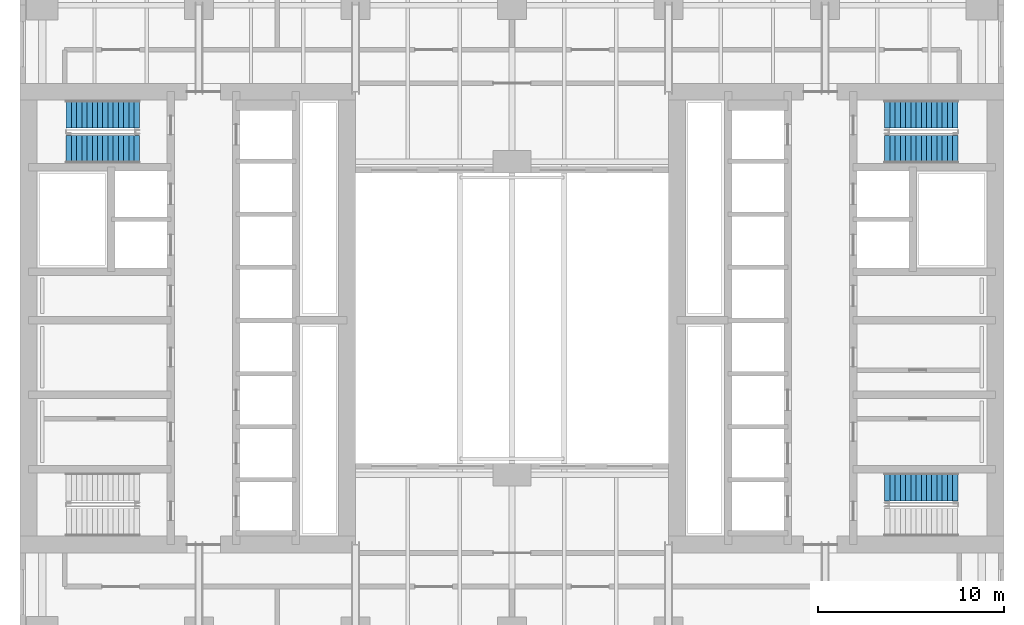
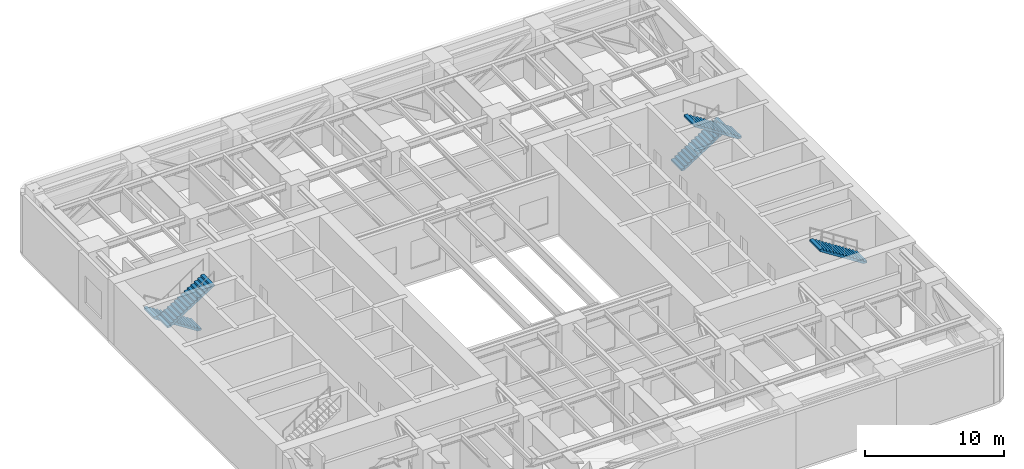
# One storey, part 7 of 11: 5 stair flights, 3 elements without a shape of their own.
"""IFC4 building model written with IfcOpenShell, lengths in metres."""

from ifc_helpers import new_model, si_unit, direction, frame, origin, place, context, subcontext, project, spatial, polyline, outline, extrude, material, type_object, element, aggregate, save


model = new_model("IFC4")

# Units and contexts
model_context = context("Model", 3, precision=1e-05, world=origin(), true_north=direction((0.0, 1.0)))
body_context = subcontext(model_context, "Body", "Model", "MODEL_VIEW")
ifc_project = project(units=[si_unit("LENGTHUNIT", "METRE"), si_unit("AREAUNIT", "SQUARE_METRE"), si_unit("VOLUMEUNIT", "CUBIC_METRE"), si_unit("PLANEANGLEUNIT", "RADIAN"), si_unit("MASSUNIT", "GRAM", prefix="KILO")], contexts=[model_context])

# Site, building, storey
site_placement = place(None, origin())
site = spatial("IfcSite", under=ifc_project, at=site_placement, CompositionType="ELEMENT")
building_placement = place(site_placement, origin())
building = spatial("IfcBuilding", under=site, at=building_placement, Name="Claustro Exchange Tower", CompositionType="ELEMENT")
storey_placement = place(building_placement, frame((0.0, 0.0, 90.89990234375)))
storey = spatial("IfcBuildingStorey", under=building, at=storey_placement, Name="L20", CompositionType="ELEMENT", Elevation=90.89990234375)

# Stair, stair flights
ifc_material_1 = material(Name="Concrete HA-30 (C30/37), precast", Category="concrete")
stair_type = type_object("IfcStairType", Name="ST3 half-turn stair, 30 risers of 180", PredefinedType="HALF_TURN_STAIR", material=ifc_material_1)
stair_1_placement = place(storey_placement, origin())
stair_1 = element("IfcStair", 1, at=stair_1_placement, inside=storey, type_object=stair_type, Name="Stair STWB L20", PredefinedType="HALF_TURN_STAIR")
ifc_material_2 = material(Name="Concrete HA-30 (C30/37), precast", Category="concrete")
stair_flight_type = type_object("IfcStairFlightType", Name="SF15 straight flight, 15 risers of 180, 1500 wide", PredefinedType="STRAIGHT", material=ifc_material_2)
stair_flight_1_placement = place(storey_placement, frame((5.199951171875, 36.14990234375, 0.0), z_axis=(0.0, 0.0, 1.0), x_axis=(-1.0, 0.0, 0.0)))
stair_flight_1 = element("IfcStairFlight", 2, at=stair_flight_1_placement, type_object=stair_flight_type, Name="STWB flight 1", NumberOfRisers=15, NumberOfTreads=14, PredefinedType="STRAIGHT", RiserHeight=0.18, TreadLength=0.28, context=body_context, shape_type="SweptSolid", body=[
    extrude(outline(polyline([(0.0, 0.0), (0.0, 0.179931640625), (0.280029296875, 0.179931640625), (0.280029296875, 0.360107421875), (0.56005859375, 0.360107421875), (0.56005859375, 0.5400390625), (0.840087890625, 0.5400390625), (0.840087890625, 0.719970703125), (1.1201171875, 0.719970703125), (1.1201171875, 0.89990234375), (1.39990234375, 0.89990234375), (1.39990234375, 1.080078125), (1.679931640625, 1.080078125), (1.679931640625, 1.260009765625), (1.9599609375, 1.260009765625), (1.9599609375, 1.43994140625), (2.239990234375, 1.43994140625), (2.239990234375, 1.6201171875), (2.52001953125, 1.6201171875), (2.52001953125, 1.800048828125), (2.800048828125, 1.800048828125), (2.800048828125, 1.97998046875), (3.080078125, 1.97998046875), (3.080078125, 2.159912109375), (3.360107421875, 2.159912109375), (3.360107421875, 2.340087890625), (3.639892578125, 2.340087890625), (3.639892578125, 2.52001953125), (3.919921875, 2.52001953125), (3.919921875, 2.699951171875), (3.919921875, 2.341796875), (0.277099609375, 0.0), (0.0, 0.0)])), frame((0.0, 0.75, 0.0), z_axis=(0.0, -1.0, 0.0), x_axis=(1.0, 0.0, 0.0)), (0.0, 0.0, 1.0), 1.5),
])
stair_flight_2_placement = place(storey_placement, frame((1.280029296875, 34.25, 2.7001953125), z_axis=(0.0, 0.0, 1.0), x_axis=(1.0, 0.0, 0.0)))
stair_flight_2 = element("IfcStairFlight", 3, at=stair_flight_2_placement, type_object=stair_flight_type, Name="STWB flight 2", NumberOfRisers=15, NumberOfTreads=14, PredefinedType="STRAIGHT", RiserHeight=0.18, TreadLength=0.28, context=body_context, shape_type="SweptSolid", body=[
    extrude(outline(polyline([(0.0, 0.0), (0.0, 0.179931640625), (0.280029296875, 0.179931640625), (0.280029296875, 0.360107421875), (0.56005859375, 0.360107421875), (0.56005859375, 0.5400390625), (0.840087890625, 0.5400390625), (0.840087890625, 0.719970703125), (1.1201171875, 0.719970703125), (1.1201171875, 0.89990234375), (1.39990234375, 0.89990234375), (1.39990234375, 1.080078125), (1.679931640625, 1.080078125), (1.679931640625, 1.260009765625), (1.9599609375, 1.260009765625), (1.9599609375, 1.43994140625), (2.239990234375, 1.43994140625), (2.239990234375, 1.6201171875), (2.52001953125, 1.6201171875), (2.52001953125, 1.800048828125), (2.800048828125, 1.800048828125), (2.800048828125, 1.97998046875), (3.080078125, 1.97998046875), (3.080078125, 2.159912109375), (3.360107421875, 2.159912109375), (3.360107421875, 2.340087890625), (3.639892578125, 2.340087890625), (3.639892578125, 2.52001953125), (3.919921875, 2.52001953125), (3.919921875, 2.699951171875), (3.919921875, 2.341796875), (0.277099609375, 0.0), (0.0, 0.0)])), frame((0.0, 0.75, 0.0), z_axis=(0.0, -1.0, 0.0), x_axis=(1.0, 0.0, 0.0)), (0.0, 0.0, 1.0), 1.5),
])
aggregate(stair_1, [stair_flight_1, stair_flight_2])

# Stair, stair flight
stair_2_placement = place(storey_placement, origin())
stair_2 = element("IfcStair", 4, at=stair_2_placement, inside=storey, type_object=stair_type, Name="Stair STEA L20", PredefinedType="HALF_TURN_STAIR")
stair_flight_3_placement = place(storey_placement, frame((49.1201171875, 16.14990234375, 2.7001953125), z_axis=(0.0, 0.0, 1.0), x_axis=(-1.0, 0.0, 0.0)))
stair_flight_3 = element("IfcStairFlight", 5, at=stair_flight_3_placement, type_object=stair_flight_type, Name="STEA flight 2", NumberOfRisers=15, NumberOfTreads=14, PredefinedType="STRAIGHT", RiserHeight=0.18, TreadLength=0.28, context=body_context, shape_type="SweptSolid", body=[
    extrude(outline(polyline([(0.0, 0.0), (0.0, 0.179931640625), (0.280029296875, 0.179931640625), (0.280029296875, 0.360107421875), (0.56005859375, 0.360107421875), (0.56005859375, 0.5400390625), (0.840087890625, 0.5400390625), (0.840087890625, 0.719970703125), (1.1201171875, 0.719970703125), (1.1201171875, 0.89990234375), (1.39990234375, 0.89990234375), (1.39990234375, 1.080078125), (1.679931640625, 1.080078125), (1.679931640625, 1.260009765625), (1.9599609375, 1.260009765625), (1.9599609375, 1.43994140625), (2.239990234375, 1.43994140625), (2.239990234375, 1.6201171875), (2.52001953125, 1.6201171875), (2.52001953125, 1.800048828125), (2.800048828125, 1.800048828125), (2.800048828125, 1.97998046875), (3.080078125, 1.97998046875), (3.080078125, 2.159912109375), (3.360107421875, 2.159912109375), (3.360107421875, 2.340087890625), (3.639892578125, 2.340087890625), (3.639892578125, 2.52001953125), (3.919921875, 2.52001953125), (3.919921875, 2.699951171875), (3.919921875, 2.341796875), (0.277099609375, 0.0), (0.0, 0.0)])), frame((0.0, 0.75, 0.0), z_axis=(0.0, -1.0, 0.0), x_axis=(1.0, 0.0, 0.0)), (0.0, 0.0, 1.0), 1.5),
])
aggregate(stair_2, [stair_flight_3])

# Stair, stair flights
stair_3_placement = place(storey_placement, origin())
stair_3 = element("IfcStair", 6, at=stair_3_placement, inside=storey, type_object=stair_type, Name="Stair STEB L20", PredefinedType="HALF_TURN_STAIR")
stair_flight_4_placement = place(storey_placement, frame((45.199951171875, 36.14990234375, 0.0), z_axis=(0.0, 0.0, 1.0), x_axis=(1.0, 0.0, 0.0)))
stair_flight_4 = element("IfcStairFlight", 7, at=stair_flight_4_placement, type_object=stair_flight_type, Name="STEB flight 1", NumberOfRisers=15, NumberOfTreads=14, PredefinedType="STRAIGHT", RiserHeight=0.18, TreadLength=0.28, context=body_context, shape_type="SweptSolid", body=[
    extrude(outline(polyline([(0.0, 0.0), (0.0, 0.179931640625), (0.280029296875, 0.179931640625), (0.280029296875, 0.360107421875), (0.56005859375, 0.360107421875), (0.56005859375, 0.5400390625), (0.840087890625, 0.5400390625), (0.840087890625, 0.719970703125), (1.1201171875, 0.719970703125), (1.1201171875, 0.89990234375), (1.39990234375, 0.89990234375), (1.39990234375, 1.080078125), (1.679931640625, 1.080078125), (1.679931640625, 1.260009765625), (1.9599609375, 1.260009765625), (1.9599609375, 1.43994140625), (2.239990234375, 1.43994140625), (2.239990234375, 1.6201171875), (2.52001953125, 1.6201171875), (2.52001953125, 1.800048828125), (2.800048828125, 1.800048828125), (2.800048828125, 1.97998046875), (3.080078125, 1.97998046875), (3.080078125, 2.159912109375), (3.360107421875, 2.159912109375), (3.360107421875, 2.340087890625), (3.639892578125, 2.340087890625), (3.639892578125, 2.52001953125), (3.919921875, 2.52001953125), (3.919921875, 2.699951171875), (3.919921875, 2.341796875), (0.277099609375, 0.0), (0.0, 0.0)])), frame((0.0, 0.75, 0.0), z_axis=(0.0, -1.0, 0.0), x_axis=(1.0, 0.0, 0.0)), (0.0, 0.0, 1.0), 1.5),
])
stair_flight_5_placement = place(storey_placement, frame((49.1201171875, 34.25, 2.7001953125), z_axis=(0.0, 0.0, 1.0), x_axis=(-1.0, 0.0, 0.0)))
stair_flight_5 = element("IfcStairFlight", 8, at=stair_flight_5_placement, type_object=stair_flight_type, Name="STEB flight 2", NumberOfRisers=15, NumberOfTreads=14, PredefinedType="STRAIGHT", RiserHeight=0.18, TreadLength=0.28, context=body_context, shape_type="SweptSolid", body=[
    extrude(outline(polyline([(0.0, 0.0), (0.0, 0.179931640625), (0.280029296875, 0.179931640625), (0.280029296875, 0.360107421875), (0.56005859375, 0.360107421875), (0.56005859375, 0.5400390625), (0.840087890625, 0.5400390625), (0.840087890625, 0.719970703125), (1.1201171875, 0.719970703125), (1.1201171875, 0.89990234375), (1.39990234375, 0.89990234375), (1.39990234375, 1.080078125), (1.679931640625, 1.080078125), (1.679931640625, 1.260009765625), (1.9599609375, 1.260009765625), (1.9599609375, 1.43994140625), (2.239990234375, 1.43994140625), (2.239990234375, 1.6201171875), (2.52001953125, 1.6201171875), (2.52001953125, 1.800048828125), (2.800048828125, 1.800048828125), (2.800048828125, 1.97998046875), (3.080078125, 1.97998046875), (3.080078125, 2.159912109375), (3.360107421875, 2.159912109375), (3.360107421875, 2.340087890625), (3.639892578125, 2.340087890625), (3.639892578125, 2.52001953125), (3.919921875, 2.52001953125), (3.919921875, 2.699951171875), (3.919921875, 2.341796875), (0.277099609375, 0.0), (0.0, 0.0)])), frame((0.0, 0.75, 0.0), z_axis=(0.0, -1.0, 0.0), x_axis=(1.0, 0.0, 0.0)), (0.0, 0.0, 1.0), 1.5),
])
aggregate(stair_3, [stair_flight_4, stair_flight_5])

save(model, "model.ifc")
